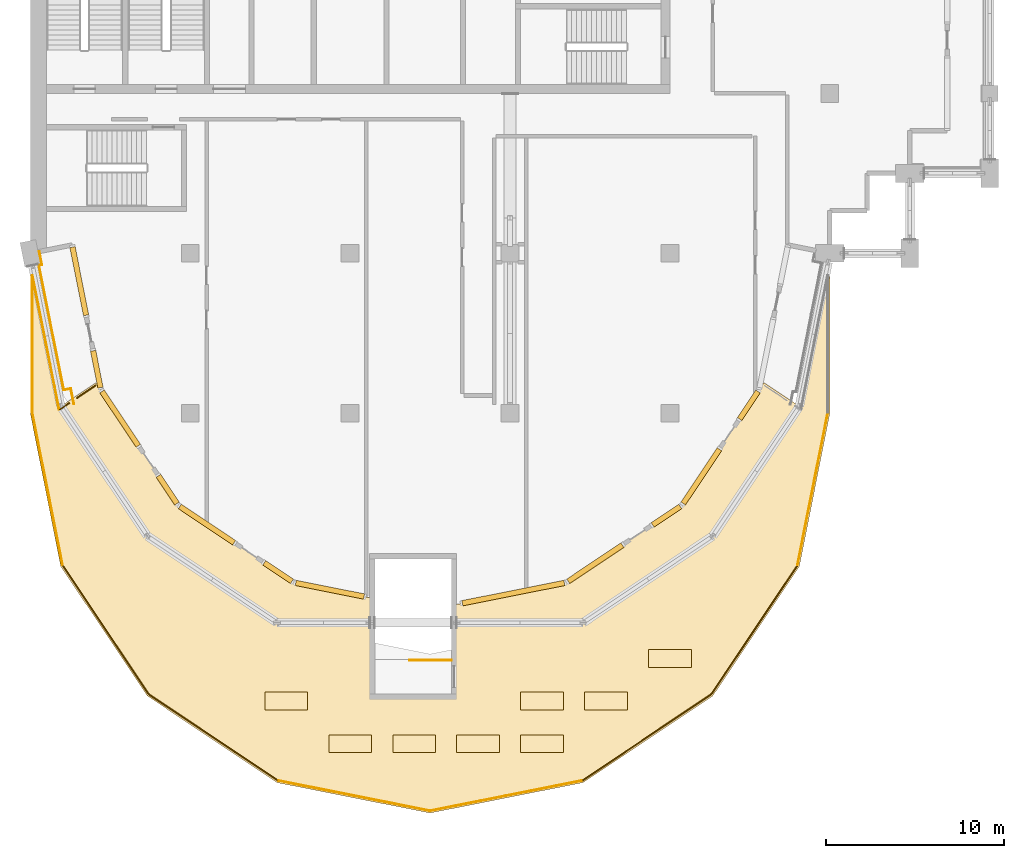
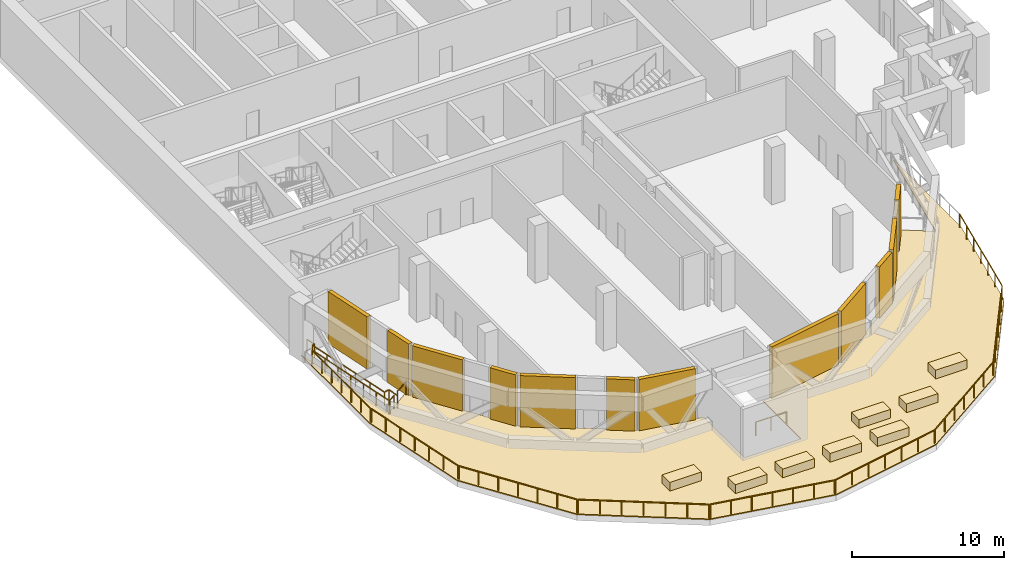
# One storey, part 15 of 18: 14 railings, 12 shading devices, 9 coverings.
"""IFC4 building model written with IfcOpenShell, lengths in metres."""

from ifc_helpers import new_model, si_unit, direction, frame, origin, origin_2d, place, context, subcontext, project, spatial, polyline, rectangle, circle, outline, extrude, material, layer, layer_set, type_object, element, save


model = new_model("IFC4")

# Units and contexts
model_context = context("Model", 3, precision=1e-05, world=origin(), true_north=direction((0.0, 1.0)))
body_context = subcontext(model_context, "Body", "Model", "MODEL_VIEW")
ifc_project = project(units=[si_unit("LENGTHUNIT", "METRE"), si_unit("AREAUNIT", "SQUARE_METRE"), si_unit("VOLUMEUNIT", "CUBIC_METRE"), si_unit("PLANEANGLEUNIT", "RADIAN"), si_unit("MASSUNIT", "GRAM", prefix="KILO")], contexts=[model_context])

# Site, building, storey
site_placement = place(None, origin())
site = spatial("IfcSite", under=ifc_project, at=site_placement, CompositionType="ELEMENT")
building_placement = place(site_placement, origin())
building = spatial("IfcBuilding", under=site, at=building_placement, Name="Hunhe Ridgeline Campus", CompositionType="ELEMENT")
storey_placement = place(building_placement, frame((0.0, 0.0, 276.199951171875)))
storey = spatial("IfcBuildingStorey", under=building, at=storey_placement, Name="L71", CompositionType="ELEMENT", Elevation=276.199951171875)

# Railings
ifc_material_1 = material(Name="Steel Q355", Category="steel")
railing_type_1 = type_object("IfcRailingType", Name="Loggia guard 1100 Steel Q355", PredefinedType="GUARDRAIL", material=ifc_material_1)
railing_1_placement = place(storey_placement, frame((0.510009765625, 54.1015625, 0.0)))
element("IfcRailing", 1, at=railing_1_placement, inside=storey, type_object=railing_type_1, Name="Loggia guard 1", PredefinedType="GUARDRAIL", context=body_context, shape_type="SweptSolid", body=[
    extrude(circle(Radius=0.02392578125, at=origin_2d()), frame((0.0, 0.0, 1.076171875), z_axis=(0.194989189992, -0.980805391393, 0.0), x_axis=(0.980805391393, 0.194989189992, 0.0)), (0.0, 0.0, 1.0), 0.75),
    extrude(circle(Radius=0.02392578125, at=origin_2d()), frame((0.146240234375, -0.735595703125, 1.076171875), z_axis=(-0.980746010965, -0.195287639079, 0.0), x_axis=(0.195287639079, -0.980746010965, 0.0)), (0.0, 0.0, 1.0), 0.169921875),
    extrude(circle(Radius=0.02392578125, at=origin_2d()), frame((-0.0205078125, -0.768798828125, 1.076171875), z_axis=(0.195099694312, -0.980783416091, 0.0), x_axis=(0.980783416091, 0.195099694312, 0.0)), (0.0, 0.0, 1.0), 7.160400390625),
    extrude(circle(Radius=0.02392578125, at=origin_2d()), frame((1.37646484375, -7.79150390625, 1.076171875), z_axis=(0.980720044729, 0.195417997808, 0.0), x_axis=(-0.195417997808, 0.980720044729, 0.0)), (0.0, 0.0, 1.0), 0.403564453125),
    extrude(circle(Radius=0.02392578125, at=origin_2d()), frame((1.772216796875, -7.712646484375, 1.076171875), z_axis=(0.195251635535, -0.980753179358, 0.0), x_axis=(0.980753179358, 0.195251635535, 0.0)), (0.0, 0.0, 1.0), 0.869140625),
    extrude(circle(Radius=0.02099609375, at=origin_2d()), origin(), (0.0, 0.0, 1.0), 1.052001953125),
    extrude(circle(Radius=0.02099609375, at=origin_2d()), frame((0.146240234375, -0.735595703125, 0.0)), (0.0, 0.0, 1.0), 1.052001953125),
    extrude(circle(Radius=0.02099609375, at=origin_2d()), frame((-0.0205078125, -0.768798828125, 0.0)), (0.0, 0.0, 1.0), 1.052001953125),
    extrude(circle(Radius=0.02099609375, at=origin_2d()), frame((0.2587890625, -2.17333984375, 0.0)), (0.0, 0.0, 1.0), 1.052001953125),
    extrude(circle(Radius=0.02099609375, at=origin_2d()), frame((0.538330078125, -3.577880859375, 0.0)), (0.0, 0.0, 1.0), 1.052001953125),
    extrude(circle(Radius=0.02099609375, at=origin_2d()), frame((0.817626953125, -4.982421875, 0.0)), (0.0, 0.0, 1.0), 1.052001953125),
    extrude(circle(Radius=0.02099609375, at=origin_2d()), frame((1.09716796875, -6.386962890625, 0.0)), (0.0, 0.0, 1.0), 1.052001953125),
    extrude(circle(Radius=0.02099609375, at=origin_2d()), frame((1.37646484375, -7.79150390625, 0.0)), (0.0, 0.0, 1.0), 1.052001953125),
    extrude(circle(Radius=0.02099609375, at=origin_2d()), frame((1.772216796875, -7.712646484375, 0.0)), (0.0, 0.0, 1.0), 1.052001953125),
    extrude(circle(Radius=0.02099609375, at=origin_2d()), frame((1.94189453125, -8.56494140625, 0.0)), (0.0, 0.0, 1.0), 1.052001953125),
])
railing_2_placement = place(storey_placement, frame((44.872314453125, 44.97265625, 0.080078125)))
element("IfcRailing", 2, at=railing_2_placement, inside=storey, type_object=railing_type_1, Name="Terrace guard 4", PredefinedType="GUARDRAIL", context=body_context, shape_type="SweptSolid", body=[
    extrude(circle(Radius=0.02392578125, at=origin_2d()), frame((0.0, 0.0, 1.076171875), z_axis=(-0.195091784902, -0.980784989416, 0.0), x_axis=(0.980784989416, -0.195091784902, 0.0)), (0.0, 0.0, 1.0), 8.66357421875),
    extrude(circle(Radius=0.02099609375, at=origin_2d()), origin(), (0.0, 0.0, 1.0), 1.052001953125),
    extrude(circle(Radius=0.02099609375, at=origin_2d()), frame((-0.28173828125, -1.416259765625, 0.0)), (0.0, 0.0, 1.0), 1.052001953125),
    extrude(circle(Radius=0.02099609375, at=origin_2d()), frame((-0.5634765625, -2.832275390625, 0.0)), (0.0, 0.0, 1.0), 1.052001953125),
    extrude(circle(Radius=0.02099609375, at=origin_2d()), frame((-0.84521484375, -4.24853515625, 0.0)), (0.0, 0.0, 1.0), 1.052001953125),
    extrude(circle(Radius=0.02099609375, at=origin_2d()), frame((-1.126708984375, -5.664794921875, 0.0)), (0.0, 0.0, 1.0), 1.052001953125),
    extrude(circle(Radius=0.02099609375, at=origin_2d()), frame((-1.408447265625, -7.080810546875, 0.0)), (0.0, 0.0, 1.0), 1.052001953125),
    extrude(circle(Radius=0.02099609375, at=origin_2d()), frame((-1.690185546875, -8.4970703125, 0.0)), (0.0, 0.0, 1.0), 1.052001953125),
])
railing_3_placement = place(storey_placement, frame((43.152099609375, 36.403076171875, 0.080078125)))
element("IfcRailing", 3, at=railing_3_placement, inside=storey, type_object=railing_type_1, Name="Terrace guard 5", PredefinedType="GUARDRAIL", context=body_context, shape_type="SweptSolid", body=[
    extrude(circle(Radius=0.02392578125, at=origin_2d()), frame((0.0, 0.0, 1.076171875), z_axis=(-0.555579066977, -0.831463709573, 0.0), x_axis=(0.831463709573, -0.555579066977, 0.0)), (0.0, 0.0, 1.0), 8.651123046875),
    extrude(circle(Radius=0.02099609375, at=origin_2d()), origin(), (0.0, 0.0, 1.0), 1.052001953125),
    extrude(circle(Radius=0.02099609375, at=origin_2d()), frame((-0.801025390625, -1.19873046875, 0.0)), (0.0, 0.0, 1.0), 1.052001953125),
    extrude(circle(Radius=0.02099609375, at=origin_2d()), frame((-1.60205078125, -2.397705078125, 0.0)), (0.0, 0.0, 1.0), 1.052001953125),
    extrude(circle(Radius=0.02099609375, at=origin_2d()), frame((-2.4033203125, -3.5966796875, 0.0)), (0.0, 0.0, 1.0), 1.052001953125),
    extrude(circle(Radius=0.02099609375, at=origin_2d()), frame((-3.204345703125, -4.79541015625, 0.0)), (0.0, 0.0, 1.0), 1.052001953125),
    extrude(circle(Radius=0.02099609375, at=origin_2d()), frame((-4.00537109375, -5.994140625, 0.0)), (0.0, 0.0, 1.0), 1.052001953125),
    extrude(circle(Radius=0.02099609375, at=origin_2d()), frame((-4.806396484375, -7.193115234375, 0.0)), (0.0, 0.0, 1.0), 1.052001953125),
])
railing_4_placement = place(storey_placement, frame((38.2900390625, 29.154296875, 0.080078125)))
element("IfcRailing", 4, at=railing_4_placement, inside=storey, type_object=railing_type_1, Name="Terrace guard 6", PredefinedType="GUARDRAIL", context=body_context, shape_type="SweptSolid", body=[
    extrude(circle(Radius=0.02392578125, at=origin_2d()), frame((0.0, 0.0, 1.076171875), z_axis=(-0.831463709573, -0.555579066977, 0.0), x_axis=(0.555579066977, -0.831463709573, 0.0)), (0.0, 0.0, 1.0), 8.651123046875),
    extrude(circle(Radius=0.02099609375, at=origin_2d()), origin(), (0.0, 0.0, 1.0), 1.052001953125),
    extrude(circle(Radius=0.02099609375, at=origin_2d()), frame((-1.19873046875, -0.801025390625, 0.0)), (0.0, 0.0, 1.0), 1.052001953125),
    extrude(circle(Radius=0.02099609375, at=origin_2d()), frame((-2.397705078125, -1.60205078125, 0.0)), (0.0, 0.0, 1.0), 1.052001953125),
    extrude(circle(Radius=0.02099609375, at=origin_2d()), frame((-3.5966796875, -2.4033203125, 0.0)), (0.0, 0.0, 1.0), 1.052001953125),
    extrude(circle(Radius=0.02099609375, at=origin_2d()), frame((-4.79541015625, -3.204345703125, 0.0)), (0.0, 0.0, 1.0), 1.052001953125),
    extrude(circle(Radius=0.02099609375, at=origin_2d()), frame((-5.994140625, -4.00537109375, 0.0)), (0.0, 0.0, 1.0), 1.052001953125),
    extrude(circle(Radius=0.02099609375, at=origin_2d()), frame((-7.193115234375, -4.806396484375, 0.0)), (0.0, 0.0, 1.0), 1.052001953125),
])
railing_5_placement = place(storey_placement, frame((31.0244140625, 24.31787109375, 0.080078125)))
element("IfcRailing", 5, at=railing_5_placement, inside=storey, type_object=railing_type_1, Name="Terrace guard 7", PredefinedType="GUARDRAIL", context=body_context, shape_type="SweptSolid", body=[
    extrude(circle(Radius=0.02392578125, at=origin_2d()), frame((0.0, 0.0, 1.076171875), z_axis=(-0.980786356694, -0.195084911058, 0.0), x_axis=(0.195084911058, -0.980786356694, 0.0)), (0.0, 0.0, 1.0), 8.6513671875),
    extrude(circle(Radius=0.02099609375, at=origin_2d()), origin(), (0.0, 0.0, 1.0), 1.052001953125),
    extrude(circle(Radius=0.02099609375, at=origin_2d()), frame((-1.4140625, -0.28125, 0.0)), (0.0, 0.0, 1.0), 1.052001953125),
    extrude(circle(Radius=0.02099609375, at=origin_2d()), frame((-2.828369140625, -0.5625, 0.0)), (0.0, 0.0, 1.0), 1.052001953125),
    extrude(circle(Radius=0.02099609375, at=origin_2d()), frame((-4.24267578125, -0.84375, 0.0)), (0.0, 0.0, 1.0), 1.052001953125),
    extrude(circle(Radius=0.02099609375, at=origin_2d()), frame((-5.65673828125, -1.125244140625, 0.0)), (0.0, 0.0, 1.0), 1.052001953125),
    extrude(circle(Radius=0.02099609375, at=origin_2d()), frame((-7.07080078125, -1.406494140625, 0.0)), (0.0, 0.0, 1.0), 1.052001953125),
    extrude(circle(Radius=0.02099609375, at=origin_2d()), frame((-8.485107421875, -1.687744140625, 0.0)), (0.0, 0.0, 1.0), 1.052001953125),
])
railing_6_placement = place(storey_placement, frame((22.460693359375, 22.630126953125, 0.080078125)))
element("IfcRailing", 6, at=railing_6_placement, inside=storey, type_object=railing_type_1, Name="Terrace guard 8", PredefinedType="GUARDRAIL", context=body_context, shape_type="SweptSolid", body=[
    extrude(circle(Radius=0.02392578125, at=origin_2d()), frame((0.0, 0.0, 1.076171875), z_axis=(-0.980786356694, 0.195084911058, 0.0), x_axis=(-0.195084911058, -0.980786356694, 0.0)), (0.0, 0.0, 1.0), 8.6513671875),
    extrude(circle(Radius=0.02099609375, at=origin_2d()), origin(), (0.0, 0.0, 1.0), 1.052001953125),
    extrude(circle(Radius=0.02099609375, at=origin_2d()), frame((-1.4140625, 0.28125, 0.0)), (0.0, 0.0, 1.0), 1.052001953125),
    extrude(circle(Radius=0.02099609375, at=origin_2d()), frame((-2.828369140625, 0.5625, 0.0)), (0.0, 0.0, 1.0), 1.052001953125),
    extrude(circle(Radius=0.02099609375, at=origin_2d()), frame((-4.24267578125, 0.84375, 0.0)), (0.0, 0.0, 1.0), 1.052001953125),
    extrude(circle(Radius=0.02099609375, at=origin_2d()), frame((-5.65673828125, 1.125244140625, 0.0)), (0.0, 0.0, 1.0), 1.052001953125),
    extrude(circle(Radius=0.02099609375, at=origin_2d()), frame((-7.07080078125, 1.406494140625, 0.0)), (0.0, 0.0, 1.0), 1.052001953125),
    extrude(circle(Radius=0.02099609375, at=origin_2d()), frame((-8.485107421875, 1.687744140625, 0.0)), (0.0, 0.0, 1.0), 1.052001953125),
])
railing_7_placement = place(storey_placement, frame((13.903076171875, 24.347900390625, 0.080078125)))
element("IfcRailing", 7, at=railing_7_placement, inside=storey, type_object=railing_type_1, Name="Terrace guard 9", PredefinedType="GUARDRAIL", context=body_context, shape_type="SweptSolid", body=[
    extrude(circle(Radius=0.02392578125, at=origin_2d()), frame((0.0, 0.0, 1.076171875), z_axis=(-0.831463709573, 0.555579066977, 0.0), x_axis=(-0.555579066977, -0.831463709573, 0.0)), (0.0, 0.0, 1.0), 8.651123046875),
    extrude(circle(Radius=0.02099609375, at=origin_2d()), origin(), (0.0, 0.0, 1.0), 1.052001953125),
    extrude(circle(Radius=0.02099609375, at=origin_2d()), frame((-1.19873046875, 0.801025390625, 0.0)), (0.0, 0.0, 1.0), 1.052001953125),
    extrude(circle(Radius=0.02099609375, at=origin_2d()), frame((-2.397705078125, 1.60205078125, 0.0)), (0.0, 0.0, 1.0), 1.052001953125),
    extrude(circle(Radius=0.02099609375, at=origin_2d()), frame((-3.5966796875, 2.4033203125, 0.0)), (0.0, 0.0, 1.0), 1.052001953125),
    extrude(circle(Radius=0.02099609375, at=origin_2d()), frame((-4.79541015625, 3.204345703125, 0.0)), (0.0, 0.0, 1.0), 1.052001953125),
    extrude(circle(Radius=0.02099609375, at=origin_2d()), frame((-5.994140625, 4.00537109375, 0.0)), (0.0, 0.0, 1.0), 1.052001953125),
    extrude(circle(Radius=0.02099609375, at=origin_2d()), frame((-7.193115234375, 4.806396484375, 0.0)), (0.0, 0.0, 1.0), 1.052001953125),
])
railing_8_placement = place(storey_placement, frame((6.654296875, 29.2099609375, 0.080078125)))
element("IfcRailing", 8, at=railing_8_placement, inside=storey, type_object=railing_type_1, Name="Terrace guard 10", PredefinedType="GUARDRAIL", context=body_context, shape_type="SweptSolid", body=[
    extrude(circle(Radius=0.02392578125, at=origin_2d()), frame((0.0, 0.0, 1.076171875), z_axis=(-0.555579066977, 0.831463709573, 0.0), x_axis=(-0.831463709573, -0.555579066977, 0.0)), (0.0, 0.0, 1.0), 8.651123046875),
    extrude(circle(Radius=0.02099609375, at=origin_2d()), origin(), (0.0, 0.0, 1.0), 1.052001953125),
    extrude(circle(Radius=0.02099609375, at=origin_2d()), frame((-0.801025390625, 1.19873046875, 0.0)), (0.0, 0.0, 1.0), 1.052001953125),
    extrude(circle(Radius=0.02099609375, at=origin_2d()), frame((-1.60205078125, 2.397705078125, 0.0)), (0.0, 0.0, 1.0), 1.052001953125),
    extrude(circle(Radius=0.02099609375, at=origin_2d()), frame((-2.4033203125, 3.5966796875, 0.0)), (0.0, 0.0, 1.0), 1.052001953125),
    extrude(circle(Radius=0.02099609375, at=origin_2d()), frame((-3.204345703125, 4.79541015625, 0.0)), (0.0, 0.0, 1.0), 1.052001953125),
    extrude(circle(Radius=0.02099609375, at=origin_2d()), frame((-4.00537109375, 5.994140625, 0.0)), (0.0, 0.0, 1.0), 1.052001953125),
    extrude(circle(Radius=0.02099609375, at=origin_2d()), frame((-4.806396484375, 7.193115234375, 0.0)), (0.0, 0.0, 1.0), 1.052001953125),
])
railing_9_placement = place(storey_placement, frame((1.81787109375, 36.4755859375, 0.080078125)))
element("IfcRailing", 9, at=railing_9_placement, inside=storey, type_object=railing_type_1, Name="Terrace guard 11", PredefinedType="GUARDRAIL", context=body_context, shape_type="SweptSolid", body=[
    extrude(circle(Radius=0.02392578125, at=origin_2d()), frame((0.0, 0.0, 1.076171875), z_axis=(-0.195091784902, 0.980784989416, 0.0), x_axis=(-0.980784989416, -0.195091784902, 0.0)), (0.0, 0.0, 1.0), 8.66357421875),
    extrude(circle(Radius=0.02099609375, at=origin_2d()), origin(), (0.0, 0.0, 1.0), 1.052001953125),
    extrude(circle(Radius=0.02099609375, at=origin_2d()), frame((-0.28173828125, 1.416259765625, 0.0)), (0.0, 0.0, 1.0), 1.052001953125),
    extrude(circle(Radius=0.02099609375, at=origin_2d()), frame((-0.5634765625, 2.832275390625, 0.0)), (0.0, 0.0, 1.0), 1.052001953125),
    extrude(circle(Radius=0.02099609375, at=origin_2d()), frame((-0.84521484375, 4.24853515625, 0.0)), (0.0, 0.0, 1.0), 1.052001953125),
    extrude(circle(Radius=0.02099609375, at=origin_2d()), frame((-1.126708984375, 5.664794921875, 0.0)), (0.0, 0.0, 1.0), 1.052001953125),
    extrude(circle(Radius=0.02099609375, at=origin_2d()), frame((-1.408447265625, 7.080810546875, 0.0)), (0.0, 0.0, 1.0), 1.052001953125),
    extrude(circle(Radius=0.02099609375, at=origin_2d()), frame((-1.690185546875, 8.4970703125, 0.0)), (0.0, 0.0, 1.0), 1.052001953125),
])
railing_10_placement = place(storey_placement, frame((0.1201171875, 45.0517578125, 0.080078125)))
element("IfcRailing", 10, at=railing_10_placement, inside=storey, type_object=railing_type_1, Name="Terrace guard 12", PredefinedType="GUARDRAIL", context=body_context, shape_type="SweptSolid", body=[
    extrude(circle(Radius=0.02392578125, at=origin_2d()), frame((0.0, 0.0, 1.076171875), z_axis=(0.0, 1.0, 0.0), x_axis=(-1.0, 0.0, 0.0)), (0.0, 0.0, 1.0), 7.68994140625),
    extrude(circle(Radius=0.02099609375, at=origin_2d()), origin(), (0.0, 0.0, 1.0), 1.052001953125),
    extrude(circle(Radius=0.02099609375, at=origin_2d()), frame((0.0, 1.28173828125, 0.0)), (0.0, 0.0, 1.0), 1.052001953125),
    extrude(circle(Radius=0.02099609375, at=origin_2d()), frame((0.0, 2.563232421875, 0.0)), (0.0, 0.0, 1.0), 1.052001953125),
    extrude(circle(Radius=0.02099609375, at=origin_2d()), frame((0.0, 3.844970703125, 0.0)), (0.0, 0.0, 1.0), 1.052001953125),
    extrude(circle(Radius=0.02099609375, at=origin_2d()), frame((0.0, 5.126708984375, 0.0)), (0.0, 0.0, 1.0), 1.052001953125),
    extrude(circle(Radius=0.02099609375, at=origin_2d()), frame((0.0, 6.408203125, 0.0)), (0.0, 0.0, 1.0), 1.052001953125),
    extrude(circle(Radius=0.02099609375, at=origin_2d()), frame((0.0, 7.68994140625, 0.0)), (0.0, 0.0, 1.0), 1.052001953125),
])
railing_11_placement = place(storey_placement, frame((0.127685546875, 52.74267578125, 0.080078125)))
element("IfcRailing", 11, at=railing_11_placement, inside=storey, type_object=railing_type_1, Name="Terrace guard 13", PredefinedType="GUARDRAIL", context=body_context, shape_type="SweptSolid", body=[
    extrude(circle(Radius=0.02392578125, at=origin_2d()), frame((0.0, 0.0, 1.076171875), z_axis=(0.195129185157, -0.980777549243, 0.0), x_axis=(0.980777549243, 0.195129185157, 0.0)), (0.0, 0.0, 1.0), 7.65966796875),
    extrude(circle(Radius=0.02099609375, at=origin_2d()), origin(), (0.0, 0.0, 1.0), 1.052001953125),
    extrude(circle(Radius=0.02099609375, at=origin_2d()), frame((0.2490234375, -1.251953125, 0.0)), (0.0, 0.0, 1.0), 1.052001953125),
    extrude(circle(Radius=0.02099609375, at=origin_2d()), frame((0.498291015625, -2.504150390625, 0.0)), (0.0, 0.0, 1.0), 1.052001953125),
    extrude(circle(Radius=0.02099609375, at=origin_2d()), frame((0.747314453125, -3.75634765625, 0.0)), (0.0, 0.0, 1.0), 1.052001953125),
    extrude(circle(Radius=0.02099609375, at=origin_2d()), frame((0.996337890625, -5.00830078125, 0.0)), (0.0, 0.0, 1.0), 1.052001953125),
    extrude(circle(Radius=0.02099609375, at=origin_2d()), frame((1.24560546875, -6.26025390625, 0.0)), (0.0, 0.0, 1.0), 1.052001953125),
    extrude(circle(Radius=0.02099609375, at=origin_2d()), frame((1.49462890625, -7.512451171875, 0.0)), (0.0, 0.0, 1.0), 1.052001953125),
])
railing_12_placement = place(storey_placement, frame((1.663330078125, 45.213134765625, 0.080078125)))
element("IfcRailing", 12, at=railing_12_placement, inside=storey, type_object=railing_type_1, Name="Terrace guard 14", PredefinedType="GUARDRAIL", context=body_context, shape_type="SweptSolid", body=[
    extrude(circle(Radius=0.02392578125, at=origin_2d()), frame((0.0, 0.0, 1.076171875), z_axis=(0.831576596843, 0.555410085958, 0.0), x_axis=(-0.555410085958, 0.831576596843, 0.0)), (0.0, 0.0, 1.0), 0.634765625),
    extrude(circle(Radius=0.02099609375, at=origin_2d()), origin(), (0.0, 0.0, 1.0), 1.052001953125),
    extrude(circle(Radius=0.02099609375, at=origin_2d()), frame((0.52783203125, 0.3525390625, 0.0)), (0.0, 0.0, 1.0), 1.052001953125),
])
railing_13_placement = place(storey_placement, frame((2.64111328125, 45.8662109375, 0.080078125)))
element("IfcRailing", 13, at=railing_13_placement, inside=storey, type_object=railing_type_1, Name="Terrace guard 15", PredefinedType="GUARDRAIL", context=body_context, shape_type="SweptSolid", body=[
    extrude(circle(Radius=0.02392578125, at=origin_2d()), frame((0.0, 0.0, 1.076171875), z_axis=(0.831596335556, 0.555380531429, 0.0), x_axis=(-0.555380531429, 0.831596335556, 0.0)), (0.0, 0.0, 1.0), 1.241943359375),
    extrude(circle(Radius=0.02099609375, at=origin_2d()), origin(), (0.0, 0.0, 1.0), 1.052001953125),
    extrude(circle(Radius=0.02099609375, at=origin_2d()), frame((1.03271484375, 0.689697265625, 0.0)), (0.0, 0.0, 1.0), 1.052001953125),
])

# Shading devices
ifc_material_2 = material(Name="Aluminium 6063", Category="aluminium")
ifc_layer_1 = layer(ifc_material_2, 0.300048828125)
ifc_layer_set_1 = layer_set([ifc_layer_1], Name="Louvre bank 300 Aluminium 6063")
shading_device_type = type_object("IfcShadingDeviceType", Name="Louvre bank 300 Aluminium 6063", PredefinedType="USERDEFINED", material=ifc_layer_set_1)
shading_device_1_placement = place(storey_placement, frame((2.759765625, 52.43310546875, 0.0), z_axis=(0.0, 0.0, 1.0), x_axis=(0.195095347137, -0.980784280831, 0.0)))
element("IfcShadingDevice", 14, at=shading_device_1_placement, inside=storey, type_object=shading_device_type, Name="Louvre bank 1", ObjectType="LOUVRE", PredefinedType="USERDEFINED", context=body_context, shape_type="SweptSolid", body=[
    extrude(rectangle(XDim=3.910888671875, YDim=0.300048828125, at=origin_2d()), origin(), (0.0, 0.0, 1.0), 4.199951171875),
])
shading_device_2_placement = place(storey_placement, frame((3.7451171875, 47.479248046875, 0.0), z_axis=(0.0, 0.0, 1.0), x_axis=(0.195095217605, -0.980784306597, 0.0)))
element("IfcShadingDevice", 15, at=shading_device_2_placement, inside=storey, type_object=shading_device_type, Name="Louvre bank 2", ObjectType="LOUVRE", PredefinedType="USERDEFINED", context=body_context, shape_type="SweptSolid", body=[
    extrude(rectangle(XDim=2.11083984375, YDim=0.300048828125, at=origin_2d()), origin(), (0.0, 0.0, 1.0), 4.199951171875),
])
shading_device_3_placement = place(storey_placement, frame((5.06103515625, 44.7001953125, 0.0), z_axis=(0.0, 0.0, 1.0), x_axis=(0.555570362959, -0.83146952548, 0.0)))
element("IfcShadingDevice", 16, at=shading_device_3_placement, inside=storey, type_object=shading_device_type, Name="Louvre bank 3", ObjectType="LOUVRE", PredefinedType="USERDEFINED", context=body_context, shape_type="SweptSolid", body=[
    extrude(rectangle(XDim=3.671875, YDim=0.300048828125, at=origin_2d()), origin(), (0.0, 0.0, 1.0), 4.199951171875),
])
shading_device_4_placement = place(storey_placement, frame((7.734375, 40.69921875, 0.0), z_axis=(0.0, 0.0, 1.0), x_axis=(0.555570217564, -0.831469622629, 0.0)))
element("IfcShadingDevice", 17, at=shading_device_4_placement, inside=storey, type_object=shading_device_type, Name="Louvre bank 4", ObjectType="LOUVRE", PredefinedType="USERDEFINED", context=body_context, shape_type="SweptSolid", body=[
    extrude(rectangle(XDim=1.871826171875, YDim=0.300048828125, at=origin_2d()), origin(), (0.0, 0.0, 1.0), 4.199951171875),
])
shading_device_5_placement = place(storey_placement, frame((9.947509765625, 38.734375, 0.0), z_axis=(0.0, 0.0, 1.0), x_axis=(0.83146952548, -0.555570362959, 0.0)))
element("IfcShadingDevice", 18, at=shading_device_5_placement, inside=storey, type_object=shading_device_type, Name="Louvre bank 5", ObjectType="LOUVRE", PredefinedType="USERDEFINED", context=body_context, shape_type="SweptSolid", body=[
    extrude(rectangle(XDim=3.671875, YDim=0.300048828125, at=origin_2d()), origin(), (0.0, 0.0, 1.0), 4.199951171875),
])
shading_device_6_placement = place(storey_placement, frame((13.948486328125, 36.06103515625, 0.0), z_axis=(0.0, 0.0, 1.0), x_axis=(0.831469622629, -0.555570217564, 0.0)))
element("IfcShadingDevice", 19, at=shading_device_6_placement, inside=storey, type_object=shading_device_type, Name="Louvre bank 6", ObjectType="LOUVRE", PredefinedType="USERDEFINED", context=body_context, shape_type="SweptSolid", body=[
    extrude(rectangle(XDim=1.871826171875, YDim=0.300048828125, at=origin_2d()), origin(), (0.0, 0.0, 1.0), 4.199951171875),
])
shading_device_7_placement = place(storey_placement, frame((16.86328125, 35.0693359375, 0.0), z_axis=(0.0, 0.0, 1.0), x_axis=(0.980785292831, -0.195090259536, 0.0)))
element("IfcShadingDevice", 20, at=shading_device_7_placement, inside=storey, type_object=shading_device_type, Name="Louvre bank 7", ObjectType="LOUVRE", PredefinedType="USERDEFINED", context=body_context, shape_type="SweptSolid", body=[
    extrude(rectangle(XDim=3.913330078125, YDim=0.300048828125, at=origin_2d()), origin(), (0.0, 0.0, 1.0), 4.199951171875),
])
shading_device_8_placement = place(storey_placement, frame((27.186767578125, 34.88037109375, 0.0), z_axis=(0.0, 0.0, 1.0), x_axis=(0.98078527311, 0.195090358683, 0.0)))
element("IfcShadingDevice", 21, at=shading_device_8_placement, inside=storey, type_object=shading_device_type, Name="Louvre bank 8", ObjectType="LOUVRE", PredefinedType="USERDEFINED", context=body_context, shape_type="SweptSolid", body=[
    extrude(rectangle(XDim=5.8505859375, YDim=0.300048828125, at=origin_2d()), origin(), (0.0, 0.0, 1.0), 4.199951171875),
])
shading_device_9_placement = place(storey_placement, frame((31.7998046875, 36.56103515625, 0.0), z_axis=(0.0, 0.0, 1.0), x_axis=(0.831469643564, 0.555570186233, 0.0)))
element("IfcShadingDevice", 22, at=shading_device_9_placement, inside=storey, type_object=shading_device_type, Name="Louvre bank 9", ObjectType="LOUVRE", PredefinedType="USERDEFINED", context=body_context, shape_type="SweptSolid", body=[
    extrude(rectangle(XDim=3.671875, YDim=0.300048828125, at=origin_2d()), origin(), (0.0, 0.0, 1.0), 4.199951171875),
])
shading_device_10_placement = place(storey_placement, frame((35.80078125, 39.234375, 0.0), z_axis=(0.0, 0.0, 1.0), x_axis=(0.831469622629, 0.555570217564, 0.0)))
element("IfcShadingDevice", 23, at=shading_device_10_placement, inside=storey, type_object=shading_device_type, Name="Louvre bank 10", ObjectType="LOUVRE", PredefinedType="USERDEFINED", context=body_context, shape_type="SweptSolid", body=[
    extrude(rectangle(XDim=1.871826171875, YDim=0.300048828125, at=origin_2d()), origin(), (0.0, 0.0, 1.0), 4.199951171875),
])
shading_device_11_placement = place(storey_placement, frame((37.765625, 41.447509765625, 0.0), z_axis=(0.0, 0.0, 1.0), x_axis=(0.555570362959, 0.83146952548, 0.0)))
element("IfcShadingDevice", 24, at=shading_device_11_placement, inside=storey, type_object=shading_device_type, Name="Louvre bank 11", ObjectType="LOUVRE", PredefinedType="USERDEFINED", context=body_context, shape_type="SweptSolid", body=[
    extrude(rectangle(XDim=3.671875, YDim=0.300048828125, at=origin_2d()), origin(), (0.0, 0.0, 1.0), 4.199951171875),
])
shading_device_12_placement = place(storey_placement, frame((40.43896484375, 45.448486328125, 0.0), z_axis=(0.0, 0.0, 1.0), x_axis=(0.555570217564, 0.831469622629, 0.0)))
element("IfcShadingDevice", 25, at=shading_device_12_placement, inside=storey, type_object=shading_device_type, Name="Louvre bank 12", ObjectType="LOUVRE", PredefinedType="USERDEFINED", context=body_context, shape_type="SweptSolid", body=[
    extrude(rectangle(XDim=1.871826171875, YDim=0.300048828125, at=origin_2d()), origin(), (0.0, 0.0, 1.0), 4.199951171875),
])

# Coverings
ifc_material_3 = material(Name="Planting soil")
covering_type_1 = type_object("IfcCoveringType", Name="Planter box 700 planting soil", PredefinedType="USERDEFINED", material=ifc_material_3)
covering_1_placement = place(storey_placement, frame((0.0, 0.0, 0.080078125)))
element("IfcCovering", 26, at=covering_1_placement, inside=storey, type_object=covering_type_1, Name="Planter 1", ObjectType="PLANTER", PredefinedType="USERDEFINED", context=body_context, shape_type="SweptSolid", body=[
    extrude(outline(polyline([(13.199951171875, 28.300048828125), (15.60009765625, 28.300048828125), (15.60009765625, 29.300048828125), (13.199951171875, 29.300048828125), (13.199951171875, 28.300048828125)])), origin(), (0.0, 0.0, 1.0), 0.699951171875),
])
covering_2_placement = place(storey_placement, frame((0.0, 0.0, 0.080078125)))
element("IfcCovering", 27, at=covering_2_placement, inside=storey, type_object=covering_type_1, Name="Planter 2", ObjectType="PLANTER", PredefinedType="USERDEFINED", context=body_context, shape_type="SweptSolid", body=[
    extrude(outline(polyline([(16.800048828125, 25.89990234375), (19.199951171875, 25.89990234375), (19.199951171875, 26.89990234375), (16.800048828125, 26.89990234375), (16.800048828125, 25.89990234375)])), origin(), (0.0, 0.0, 1.0), 0.699951171875),
])
covering_3_placement = place(storey_placement, frame((0.0, 0.0, 0.080078125)))
element("IfcCovering", 28, at=covering_3_placement, inside=storey, type_object=covering_type_1, Name="Planter 3", ObjectType="PLANTER", PredefinedType="USERDEFINED", context=body_context, shape_type="SweptSolid", body=[
    extrude(outline(polyline([(20.39990234375, 25.89990234375), (22.800048828125, 25.89990234375), (22.800048828125, 26.89990234375), (20.39990234375, 26.89990234375), (20.39990234375, 25.89990234375)])), origin(), (0.0, 0.0, 1.0), 0.699951171875),
])
covering_4_placement = place(storey_placement, frame((0.0, 0.0, 0.080078125)))
element("IfcCovering", 29, at=covering_4_placement, inside=storey, type_object=covering_type_1, Name="Planter 4", ObjectType="PLANTER", PredefinedType="USERDEFINED", context=body_context, shape_type="SweptSolid", body=[
    extrude(outline(polyline([(24.0, 25.89990234375), (26.39990234375, 25.89990234375), (26.39990234375, 26.89990234375), (24.0, 26.89990234375), (24.0, 25.89990234375)])), origin(), (0.0, 0.0, 1.0), 0.699951171875),
])
covering_5_placement = place(storey_placement, frame((0.0, 0.0, 0.080078125)))
element("IfcCovering", 30, at=covering_5_placement, inside=storey, type_object=covering_type_1, Name="Planter 5", ObjectType="PLANTER", PredefinedType="USERDEFINED", context=body_context, shape_type="SweptSolid", body=[
    extrude(outline(polyline([(27.60009765625, 25.89990234375), (30.0, 25.89990234375), (30.0, 26.89990234375), (27.60009765625, 26.89990234375), (27.60009765625, 25.89990234375)])), origin(), (0.0, 0.0, 1.0), 0.699951171875),
])
covering_6_placement = place(storey_placement, frame((0.0, 0.0, 0.080078125)))
element("IfcCovering", 31, at=covering_6_placement, inside=storey, type_object=covering_type_1, Name="Planter 6", ObjectType="PLANTER", PredefinedType="USERDEFINED", context=body_context, shape_type="SweptSolid", body=[
    extrude(outline(polyline([(27.60009765625, 28.300048828125), (30.0, 28.300048828125), (30.0, 29.300048828125), (27.60009765625, 29.300048828125), (27.60009765625, 28.300048828125)])), origin(), (0.0, 0.0, 1.0), 0.699951171875),
])
covering_7_placement = place(storey_placement, frame((0.0, 0.0, 0.080078125)))
element("IfcCovering", 32, at=covering_7_placement, inside=storey, type_object=covering_type_1, Name="Planter 7", ObjectType="PLANTER", PredefinedType="USERDEFINED", context=body_context, shape_type="SweptSolid", body=[
    extrude(outline(polyline([(31.199951171875, 28.300048828125), (33.60009765625, 28.300048828125), (33.60009765625, 29.300048828125), (31.199951171875, 29.300048828125), (31.199951171875, 28.300048828125)])), origin(), (0.0, 0.0, 1.0), 0.699951171875),
])
covering_8_placement = place(storey_placement, frame((0.0, 0.0, 0.080078125)))
element("IfcCovering", 33, at=covering_8_placement, inside=storey, type_object=covering_type_1, Name="Planter 8", ObjectType="PLANTER", PredefinedType="USERDEFINED", context=body_context, shape_type="SweptSolid", body=[
    extrude(outline(polyline([(34.800048828125, 30.699951171875), (37.199951171875, 30.699951171875), (37.199951171875, 31.699951171875), (34.800048828125, 31.699951171875), (34.800048828125, 30.699951171875)])), origin(), (0.0, 0.0, 1.0), 0.699951171875),
])

# Railing
ifc_material_4 = material(Name="Stainless steel balustrade", Category="steel")
railing_type_2 = type_object("IfcRailingType", Name="Stair guard 1100 stainless", PredefinedType="GUARDRAIL", material=ifc_material_4)
railing_14_placement = place(storey_placement, frame((23.699951171875, 31.10009765625, 0.0)))
element("IfcRailing", 34, at=railing_14_placement, inside=storey, type_object=railing_type_2, Name="L71 stair W3 top guard 1", PredefinedType="GUARDRAIL", context=body_context, shape_type="SweptSolid", body=[
    extrude(circle(Radius=0.02392578125, at=origin_2d()), frame((0.0, 0.0, 1.076171875), z_axis=(-1.0, 0.0, 0.0), x_axis=(0.0, -1.0, 0.0)), (0.0, 0.0, 1.0), 2.349853515625),
    extrude(circle(Radius=0.02099609375, at=origin_2d()), origin(), (0.0, 0.0, 1.0), 1.052001953125),
    extrude(circle(Radius=0.02099609375, at=origin_2d()), frame((-1.1748046875, 0.0, 0.0)), (0.0, 0.0, 1.0), 1.052001953125),
    extrude(circle(Radius=0.02099609375, at=origin_2d()), frame((-2.349853515625, 0.0, 0.0)), (0.0, 0.0, 1.0), 1.052001953125),
])

# Covering
ifc_material_5 = material(Name="Precast concrete C30 paving", Category="concrete")
ifc_layer_2 = layer(ifc_material_5, 0.080078125)
ifc_layer_set_2 = layer_set([ifc_layer_2], Name="Terrace paving 80 Concrete C30 pavers")
covering_type_2 = type_object("IfcCoveringType", Name="Terrace paving 80 Concrete C30 pavers", PredefinedType="FLOORING", material=ifc_layer_set_2)
covering_9_placement = place(storey_placement, origin())
element("IfcCovering", 35, at=covering_9_placement, inside=storey, type_object=covering_type_2, Name="Terrace paving 1", PredefinedType="FLOORING", context=body_context, shape_type="SweptSolid", body=[
    extrude(outline(polyline([(0.0, 54.0), (0.0, 45.0), (1.712646484375, 36.3896484375), (6.590087890625, 29.090087890625), (13.8896484375, 24.212646484375), (22.5, 22.5), (31.1103515625, 24.212646484375), (38.409912109375, 29.090087890625), (43.287353515625, 36.3896484375), (45.0, 45.0), (45.0, 54.0), (43.287353515625, 45.390625), (41.291748046875, 46.722900390625), (36.6796875, 39.8203125), (30.174072265625, 35.4736328125), (23.699951171875, 34.185791015625), (23.699951171875, 29.199951171875), (19.39990234375, 29.199951171875), (19.39990234375, 34.563720703125), (14.825927734375, 35.4736328125), (8.3203125, 39.8203125), (3.708251953125, 46.722900390625), (1.712646484375, 45.390625), (0.0, 54.0)])), origin(), (0.0, 0.0, 1.0), 0.080078125),
])

save(model, "model.ifc")
